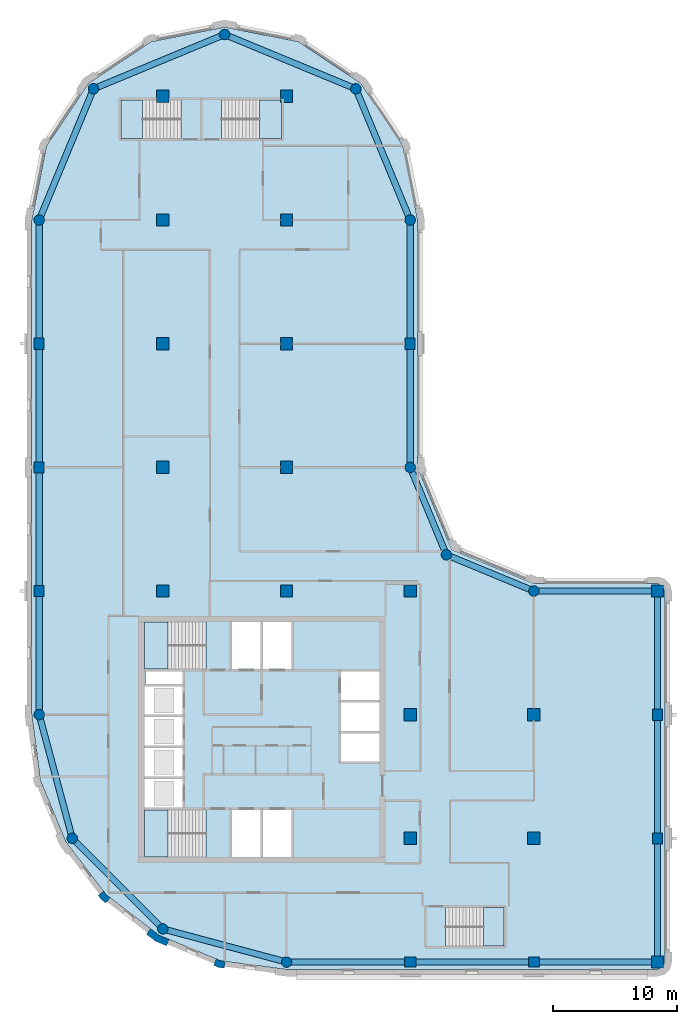
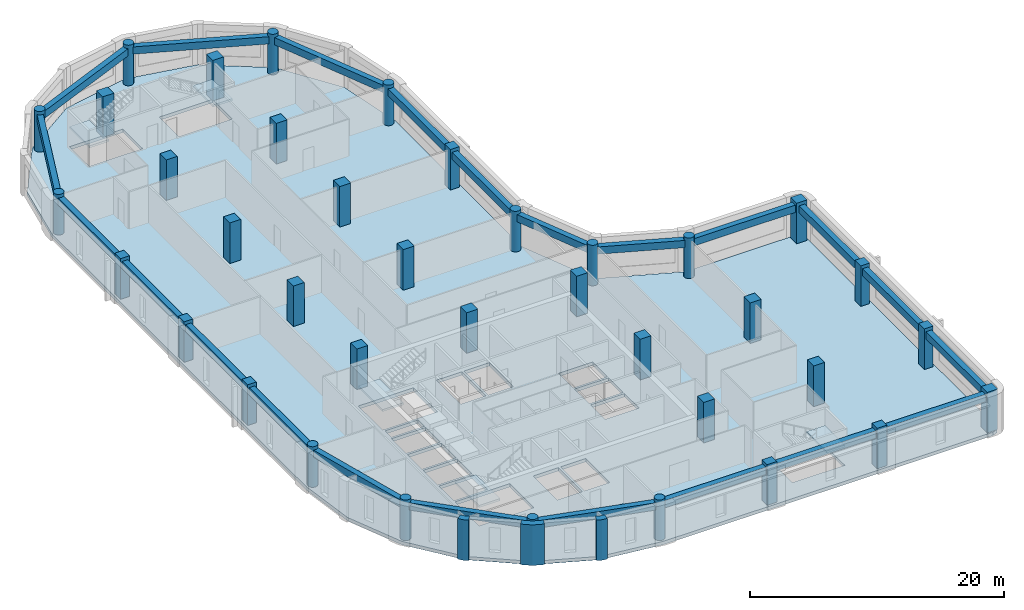
# One storey, part 1 of 9: 37 columns, 22 beams, 6 slabs, 3 walls, 5 elements without a shape of their own.
"""IFC4 building model written with IfcOpenShell, lengths in metres."""

import ifcopenshell
import ifcopenshell.guid

model = None  # the IFC model being written
_history = None  # IfcOwnerHistory: only IFC2X3 demands one
_inside = {}  # id of a spatial element -> (the spatial element, [elements in it])
_under = {}  # id of a project, library or spatial element -> (it, [spatial elements below it])
_declared = {}  # id of a project -> (the project, [libraries it declares])
_typed = {}  # id of a type object -> (the type object, [elements of that type])
_made_of = {}  # id of a material, layer set ... -> (it, [elements and type objects made of it])


def new_model(schema):
    """Start an empty IFC model of exactly this schema.

    Asked for "IFC4X3", IfcOpenShell would pick the latest addendum, in which some entities
    have other attributes; the version numbers below select the first issue.
    IFC2X3 requires an IfcOwnerHistory on every rooted entity: one is made here for all.
    """
    global model, _history
    if schema == "IFC4X3":
        model = ifcopenshell.file(schema_version=(4, 3, 0, 0))
    else:
        model = ifcopenshell.file(schema=schema)
    _inside.clear()
    _under.clear()
    _declared.clear()
    _typed.clear()
    _made_of.clear()
    _history = None
    if model.schema == "IFC2X3":
        org = make("IfcOrganization", Name="unknown")
        user = make(
            "IfcPersonAndOrganization",
            ThePerson=make("IfcPerson", FamilyName="unknown"),
            TheOrganization=org,
        )
        app = make(
            "IfcApplication",
            ApplicationDeveloper=org,
            Version="unknown",
            ApplicationFullName="unknown",
            ApplicationIdentifier="unknown",
        )
        _history = make(
            "IfcOwnerHistory",
            OwningUser=user,
            OwningApplication=app,
            ChangeAction="ADDED",
            CreationDate=0,
        )
    return model


def make(cls, **values):
    """One entity of the class cls with the attributes given. An attribute that is None is left unset."""
    return model.create_entity(
        cls, **{name: value for name, value in values.items() if value is not None}
    )


def rooted(cls, **values):
    """An entity with a GlobalId (a new one), such as an element, a storey or a relation."""
    return make(cls, GlobalId=ifcopenshell.guid.new(), OwnerHistory=_history, **values)


def si_unit(unit_type, name, prefix=None):
    """IfcSIUnit, for example si_unit("LENGTHUNIT", "METRE", prefix="MILLI")."""
    return make("IfcSIUnit", UnitType=unit_type, Prefix=prefix, Name=name)


def assignment(units):
    """IfcUnitAssignment: the units of a project."""
    return None if units is None else make("IfcUnitAssignment", Units=units)


def point(xyz):
    """IfcCartesianPoint."""
    return None if xyz is None else make("IfcCartesianPoint", Coordinates=xyz)


def direction(xyz):
    """IfcDirection."""
    return None if xyz is None else make("IfcDirection", DirectionRatios=xyz)


def frame(location, z_axis=None, x_axis=None):
    """IfcAxis2Placement3D, a coordinate frame: its origin and axes. An axis left out is left unset."""
    return make(
        "IfcAxis2Placement3D",
        Location=point(location),
        Axis=direction(z_axis),
        RefDirection=direction(x_axis),
    )


def frame_2d(location, x_axis=None):
    """IfcAxis2Placement2D, a coordinate frame in the plane: its origin and x axis."""
    return make(
        "IfcAxis2Placement2D", Location=point(location), RefDirection=direction(x_axis)
    )


def origin():
    """The frame at (0, 0, 0) with its axes left unset."""
    return frame((0.0, 0.0, 0.0))


def origin_2d():
    """The frame at (0, 0) in the plane with its x axis left unset."""
    return frame_2d((0.0, 0.0))


def place(relative_to, where):
    """IfcLocalPlacement: puts the frame where relative to a parent placement (None: the world)."""
    return make(
        "IfcLocalPlacement", PlacementRelTo=relative_to, RelativePlacement=where
    )


def context(
    kind, dimensions, precision=None, world=None, true_north=None, identifier=None
):
    """IfcGeometricRepresentationContext, for example the 3D "Model" context."""
    return make(
        "IfcGeometricRepresentationContext",
        ContextIdentifier=identifier,
        ContextType=kind,
        CoordinateSpaceDimension=dimensions,
        Precision=precision,
        WorldCoordinateSystem=world,
        TrueNorth=true_north,
    )


def subcontext(parent, identifier, kind, view, scale=None):
    """IfcGeometricRepresentationSubContext, for example "Body" below "Model"."""
    return make(
        "IfcGeometricRepresentationSubContext",
        ContextIdentifier=identifier,
        ContextType=kind,
        ParentContext=parent,
        TargetScale=scale,
        TargetView=view,
    )


def project(units=None, contexts=None):
    """IfcProject with its units and contexts."""
    return rooted(
        "IfcProject",
        Name="project",
        RepresentationContexts=contexts,
        UnitsInContext=assignment(units),
    )


def spatial(cls, under=None, at=None, **own):
    """A site, building, storey or space (cls), placed at a placement, below another one or the project."""
    s = rooted(cls, ObjectPlacement=at, **own)
    if under is not None:
        _under.setdefault(under.id(), (under, []))[1].append(s)
    return s


def polyline(points):
    """IfcPolyline through the points."""
    return make("IfcPolyline", Points=[point(p) for p in points])


def profile(cls, at=None, kind="AREA", **sizes):
    """A parametric profile (cls). Its sizes go by their IFC names, for example OverallWidth=200.0."""
    return make(cls, ProfileType=kind, Position=at, **sizes)


def rectangle(**sizes):
    """IfcRectangleProfileDef."""
    return profile("IfcRectangleProfileDef", **sizes)


def circle(**sizes):
    """IfcCircleProfileDef."""
    return profile("IfcCircleProfileDef", **sizes)


def outline(outer, holes=None, kind="AREA"):
    """IfcArbitraryClosedProfileDef: a profile drawn as a closed curve; with holes, ...WithVoids."""
    if holes is None:
        return make("IfcArbitraryClosedProfileDef", ProfileType=kind, OuterCurve=outer)
    return make(
        "IfcArbitraryProfileDefWithVoids",
        ProfileType=kind,
        OuterCurve=outer,
        InnerCurves=holes,
    )


def extrude(swept, where, along, depth):
    """IfcExtrudedAreaSolid: the profile swept, set in the frame where, extruded along a direction by depth."""
    return make(
        "IfcExtrudedAreaSolid",
        SweptArea=swept,
        Position=where,
        ExtrudedDirection=direction(along),
        Depth=depth,
    )


def shape(context_of_items, identifier, shape_type, items):
    """IfcShapeRepresentation: the items that make up one representation, for example the "Body"."""
    return make(
        "IfcShapeRepresentation",
        ContextOfItems=context_of_items,
        RepresentationIdentifier=identifier,
        RepresentationType=shape_type,
        Items=items,
    )


def material(Name=None, Category=None):
    """IfcMaterial."""
    return make("IfcMaterial", Name=Name, Category=Category)


def layer(
    of_material, thickness, ventilated=None, Name=None, Category=None, Priority=None
):
    """IfcMaterialLayer: one layer of a wall or slab, of a material (None: an air gap)."""
    return make(
        "IfcMaterialLayer",
        Material=of_material,
        LayerThickness=thickness,
        IsVentilated=ventilated,
        Name=Name,
        Category=Category,
        Priority=Priority,
    )


def layer_set(layers, Name=None):
    """IfcMaterialLayerSet."""
    return make("IfcMaterialLayerSet", MaterialLayers=layers, LayerSetName=Name)


def material_profile(
    of_material, cross_section, Name=None, Category=None, Priority=None
):
    """IfcMaterialProfile: a cross section and its material."""
    return make(
        "IfcMaterialProfile",
        Name=Name,
        Material=of_material,
        Profile=cross_section,
        Priority=Priority,
        Category=Category,
    )


def profile_set(profiles, Name=None, composite=None):
    """IfcMaterialProfileSet."""
    return make(
        "IfcMaterialProfileSet",
        Name=Name,
        MaterialProfiles=profiles,
        CompositeProfile=composite,
    )


def made_of(thing, what):
    """Note that an element or type object is made of a material, layer set ...; save() writes the relation."""
    if what is not None:
        _made_of.setdefault(what.id(), (what, []))[1].append(thing)
    return thing


def type_object(cls, material=None, **own):
    """A type object (cls), such as IfcWallType, which elements share."""
    return made_of(rooted(cls, **own), material)


def element(
    cls,
    number,
    at=None,
    inside=None,
    cuts=None,
    type_object=None,
    material=None,
    context=None,
    identifier="Body",
    shape_type=None,
    held_by="IfcProductDefinitionShape",
    body=None,
    shapes=None,
    **own,
):
    """One element of the class cls, such as IfcWall. Its Tag is "e" and its number.

    at: its placement. inside: the storey or other place that contains it. cuts: it is an
    opening in that element (IfcRelVoidsElement). A single representation is given by context,
    identifier, shape_type and body (its items); several are given by shapes. held_by: the class
    of the entity that holds the representations. save() writes the other relations.
    """
    e = rooted(cls, Tag="e%d" % number, ObjectPlacement=at, **own)
    if body is not None:
        shapes = [shape(context, identifier, shape_type, body)]
    if shapes is not None:
        e.Representation = make(held_by, Representations=shapes)
    if inside is not None:
        _inside.setdefault(inside.id(), (inside, []))[1].append(e)
    if cuts is not None:
        rooted(
            "IfcRelVoidsElement", RelatingBuildingElement=cuts, RelatedOpeningElement=e
        )
    if type_object is not None:
        _typed.setdefault(type_object.id(), (type_object, []))[1].append(e)
    return made_of(e, material)


def aggregate(whole, parts):
    """IfcRelAggregates: a whole, such as a stair, and the parts it consists of."""
    return rooted("IfcRelAggregates", RelatingObject=whole, RelatedObjects=parts)


def save(model, path):
    """Write the relations noted so far, then the file.

    IfcRelAggregates (storeys below a building ...), IfcRelContainedInSpatialStructure (elements
    in a storey), IfcRelDefinesByType, IfcRelAssociatesMaterial and IfcRelDeclares: one each for
    every whole, place, type object, material and project.
    """
    for whole, parts in _under.values():
        aggregate(whole, parts)
    for where, things in _inside.values():
        rooted(
            "IfcRelContainedInSpatialStructure",
            RelatedElements=things,
            RelatingStructure=where,
        )
    for kind, things in _typed.values():
        rooted("IfcRelDefinesByType", RelatedObjects=things, RelatingType=kind)
    for what, things in _made_of.values():
        rooted("IfcRelAssociatesMaterial", RelatedObjects=things, RelatingMaterial=what)
    for by, libraries in _declared.values():
        rooted("IfcRelDeclares", RelatingContext=by, RelatedDefinitions=libraries)
    model.write(path)


model = new_model("IFC4")

# Units and contexts
model_context = context("Model", 3, precision=1e-05, world=origin(), true_north=direction((0.0, 1.0)))
body_context = subcontext(model_context, "Body", "Model", "MODEL_VIEW")
ifc_project = project(units=[si_unit("LENGTHUNIT", "METRE"), si_unit("AREAUNIT", "SQUARE_METRE"), si_unit("VOLUMEUNIT", "CUBIC_METRE"), si_unit("PLANEANGLEUNIT", "RADIAN"), si_unit("MASSUNIT", "GRAM", prefix="KILO")], contexts=[model_context])

# Site, building, storey
site_placement = place(None, origin())
site = spatial("IfcSite", under=ifc_project, at=site_placement, CompositionType="ELEMENT")
building_placement = place(site_placement, origin())
building = spatial("IfcBuilding", under=site, at=building_placement, Name="Qaws Garden Tower", CompositionType="ELEMENT")
storey_placement = place(building_placement, frame((0.0, 0.0, 270.89990234375)))
storey = spatial("IfcBuildingStorey", under=building, at=storey_placement, Name="L65", CompositionType="ELEMENT", Elevation=270.89990234375)

# Columns
ifc_material_1 = material(Name="Concrete C60", Category="concrete")
ifc_material_profile_1 = material_profile(ifc_material_1, rectangle(XDim=1.0, YDim=1.0, at=origin_2d()), Name="RC 1000x1000")
ifc_profile_set_1 = profile_set([ifc_material_profile_1], Name="Concrete C60")
column_type_1 = type_object("IfcColumnType", Name="Column RC 1000x1000 C60", PredefinedType="COLUMN", material=ifc_profile_set_1)
for number, where, z_axis, x_axis, name in (
    (1, (10.0, 30.0, 0.0), (0.0, 0.0, 1.0), (1.0, 0.0, 0.0), "Column L65-023"),
    (2, (10.0, 40.0, 0.0), (0.0, 0.0, 1.0), (1.0, 0.0, 0.0), "Column L65-024"),
    (3, (10.0, 50.0, 0.0), (0.0, 0.0, 1.0), (1.0, 0.0, 0.0), "Column L65-025"),
    (4, (10.0, 60.0, 0.0), (0.0, 0.0, 1.0), (1.0, 0.0, 0.0), "Column L65-026"),
    (5, (10.0, 70.0, 0.0), (0.0, 0.0, 1.0), (1.0, 0.0, 0.0), "Column L65-027"),
    (6, (20.0, 30.0, 0.0), (0.0, 0.0, 1.0), (1.0, 0.0, 0.0), "Column L65-028"),
    (7, (20.0, 40.0, 0.0), (0.0, 0.0, 1.0), (1.0, 0.0, 0.0), "Column L65-029"),
    (8, (20.0, 50.0, 0.0), (0.0, 0.0, 1.0), (1.0, 0.0, 0.0), "Column L65-030"),
    (9, (20.0, 60.0, 0.0), (0.0, 0.0, 1.0), (1.0, 0.0, 0.0), "Column L65-031"),
    (10, (20.0, 70.0, 0.0), (0.0, 0.0, 1.0), (1.0, 0.0, 0.0), "Column L65-032"),
    (11, (30.0, 10.0, 0.0), (0.0, 0.0, 1.0), (1.0, 0.0, 0.0), "Column L65-033"),
    (12, (30.0, 20.0, 0.0), (0.0, 0.0, 1.0), (1.0, 0.0, 0.0), "Column L65-034"),
    (13, (30.0, 30.0, 0.0), (0.0, 0.0, 1.0), (1.0, 0.0, 0.0), "Column L65-035"),
    (14, (40.0, 10.0, 0.0), (0.0, 0.0, 1.0), (1.0, 0.0, 0.0), "Column L65-036"),
    (15, (40.0, 20.0, 0.0), (0.0, 0.0, 1.0), (1.0, 0.0, 0.0), "Column L65-037"),
):
    element("IfcColumn", number, at=place(storey_placement, frame(where, z_axis=z_axis, x_axis=x_axis)), inside=storey, type_object=column_type_1, Name=name, PredefinedType="COLUMN", context=body_context, shape_type="SweptSolid", body=[
        extrude(rectangle(XDim=1.0, YDim=1.0, at=origin_2d()), origin(), (0.0, 0.0, 1.0), 3.900146484375),
    ])
ifc_material_2 = material(Name="Concrete C60", Category="concrete")
ifc_material_profile_2 = material_profile(ifc_material_2, rectangle(XDim=0.89990234375, YDim=0.800048828125, at=origin_2d()), Name="RC 900x800")
ifc_profile_set_2 = profile_set([ifc_material_profile_2], Name="Concrete C60")
column_type_2 = type_object("IfcColumnType", Name="Column RC 900x800 C60", PredefinedType="COLUMN", material=ifc_profile_set_2)
for number, where, z_axis, x_axis, name in (
    (16, (30.0, 0.0, 0.0), (0.0, 0.0, 1.0), (1.0, 0.0, 0.0), "Column L65-002"),
    (17, (40.0, 0.0, 0.0), (0.0, 0.0, 1.0), (1.0, 0.0, 0.0), "Column L65-003"),
    (18, (50.0, 10.0, 0.0), (0.0, 0.0, 1.0), (0.0, 1.0, 0.0), "Column L65-005"),
    (19, (50.0, 20.0, 0.0), (0.0, 0.0, 1.0), (0.0, 1.0, 0.0), "Column L65-006"),
    (20, (30.0, 50.0, 0.0), (0.0, 0.0, 1.0), (0.0, 1.0, 0.0), "Column L65-011"),
    (21, (0.0, 50.0, 0.0), (0.0, 0.0, 1.0), (0.0, 1.0, 0.0), "Column L65-017"),
    (22, (0.0, 40.0, 0.0), (0.0, 0.0, 1.0), (0.0, 1.0, 0.0), "Column L65-018"),
    (23, (0.0, 30.0, 0.0), (0.0, 0.0, 1.0), (0.0, 1.0, 0.0), "Column L65-019"),
):
    element("IfcColumn", number, at=place(storey_placement, frame(where, z_axis=z_axis, x_axis=x_axis)), inside=storey, type_object=column_type_2, Name=name, PredefinedType="COLUMN", context=body_context, shape_type="SweptSolid", body=[
        extrude(rectangle(XDim=0.89990234375, YDim=0.800048828125, at=origin_2d()), origin(), (0.0, 0.0, 1.0), 3.900146484375),
    ])
ifc_material_3 = material(Name="Concrete C60", Category="concrete")
ifc_material_profile_3 = material_profile(ifc_material_3, rectangle(XDim=0.949951171875, YDim=0.949951171875, at=origin_2d()), Name="RC 950x950")
ifc_profile_set_3 = profile_set([ifc_material_profile_3], Name="Concrete C60")
column_type_3 = type_object("IfcColumnType", Name="Column RC 950x950 C60", PredefinedType="COLUMN", material=ifc_profile_set_3)
for number, where, z_axis, x_axis, name in (
    (24, (50.0, 0.0, 0.0), (0.0, 0.0, 1.0), (1.0, 0.0, 0.0), "Column L65-004"),
    (25, (50.0, 30.0, 0.0), (0.0, 0.0, 1.0), (1.0, 0.0, 0.0), "Column L65-007"),
):
    element("IfcColumn", number, at=place(storey_placement, frame(where, z_axis=z_axis, x_axis=x_axis)), inside=storey, type_object=column_type_3, Name=name, PredefinedType="COLUMN", context=body_context, shape_type="SweptSolid", body=[
        extrude(rectangle(XDim=0.949951171875, YDim=0.949951171875, at=origin_2d()), origin(), (0.0, 0.0, 1.0), 3.900146484375),
    ])
ifc_material_4 = material(Name="Concrete C60", Category="concrete")
ifc_material_profile_4 = material_profile(ifc_material_4, circle(Radius=0.425048828125, at=origin_2d()), Name="RC D850")
ifc_profile_set_4 = profile_set([ifc_material_profile_4], Name="Concrete C60")
column_type_4 = type_object("IfcColumnType", Name="Column RC D850 C60", PredefinedType="COLUMN", material=ifc_profile_set_4)
for number, where, z_axis, x_axis, name in (
    (26, (20.0, 0.0, 0.0), (0.0, 0.0, 1.0), (1.0, 0.0, 0.0), "Column L65-001"),
    (27, (40.0, 30.0, 0.0), (0.0, 0.0, 1.0), (1.0, 0.0, 0.0), "Column L65-008"),
    (28, (32.928955078125, 32.928955078125, 0.0), (0.0, 0.0, 1.0), (1.0, 0.0, 0.0), "Column L65-009"),
    (29, (30.0, 40.0, 0.0), (0.0, 0.0, 1.0), (1.0, 0.0, 0.0), "Column L65-010"),
    (30, (30.0, 60.0, 0.0), (0.0, 0.0, 1.0), (1.0, 0.0, 0.0), "Column L65-012"),
    (31, (25.606689453125, 70.606689453125, 0.0), (0.0, 0.0, 1.0), (1.0, 0.0, 0.0), "Column L65-013"),
    (32, (15.0, 75.0, 0.0), (0.0, 0.0, 1.0), (1.0, 0.0, 0.0), "Column L65-014"),
    (33, (4.393310546875, 70.606689453125, 0.0), (0.0, 0.0, 1.0), (1.0, 0.0, 0.0), "Column L65-015"),
    (34, (0.0, 60.0, 0.0), (0.0, 0.0, 1.0), (1.0, 0.0, 0.0), "Column L65-016"),
    (35, (0.0, 20.0, 0.0), (0.0, 0.0, 1.0), (1.0, 0.0, 0.0), "Column L65-020"),
    (36, (2.679443359375, 10.0, 0.0), (0.0, 0.0, 1.0), (1.0, 0.0, 0.0), "Column L65-021"),
    (37, (10.0, 2.679443359375, 0.0), (0.0, 0.0, 1.0), (1.0, 0.0, 0.0), "Column L65-022"),
):
    element("IfcColumn", number, at=place(storey_placement, frame(where, z_axis=z_axis, x_axis=x_axis)), inside=storey, type_object=column_type_4, Name=name, PredefinedType="COLUMN", context=body_context, shape_type="SweptSolid", body=[
        extrude(circle(Radius=0.425048828125, at=origin_2d()), origin(), (0.0, 0.0, 1.0), 3.900146484375),
    ])

# Beams
ifc_material_5 = material(Name="Concrete C45", Category="concrete")
ifc_material_profile_5 = material_profile(ifc_material_5, rectangle(XDim=0.5, YDim=0.699951171875, at=origin_2d()), Name="RC 500x700")
ifc_profile_set_5 = profile_set([ifc_material_profile_5], Name="Concrete C45")
beam_type = type_object("IfcBeamType", Name="Spandrel beam RC 500x700 C45", PredefinedType="SPANDREL", material=ifc_profile_set_5)
for number, where, z_axis, x_axis, name in (
    (38, (20.0, 0.0, 3.22998046875), (1.0, 0.0, 0.0), (0.0, 1.0, 0.0), "Spandrel beam L65-001"),
    (39, (30.0, 0.0, 3.22998046875), (1.0, 0.0, 0.0), (0.0, 1.0, 0.0), "Spandrel beam L65-002"),
    (40, (40.0, 0.0, 3.22998046875), (1.0, 0.0, 0.0), (0.0, 1.0, 0.0), "Spandrel beam L65-003"),
    (41, (50.0, 0.0, 3.22998046875), (0.0, 1.0, 0.0), (-1.0, 0.0, 0.0), "Spandrel beam L65-004"),
    (42, (50.0, 10.0, 3.22998046875), (0.0, 1.0, 0.0), (-1.0, 0.0, 0.0), "Spandrel beam L65-005"),
    (43, (50.0, 20.0, 3.22998046875), (0.0, 1.0, 0.0), (-1.0, 0.0, 0.0), "Spandrel beam L65-006"),
    (44, (50.0, 30.0, 3.22998046875), (-1.0, 0.0, 0.0), (0.0, -1.0, 0.0), "Spandrel beam L65-007"),
):
    element("IfcBeam", number, at=place(storey_placement, frame(where, z_axis=z_axis, x_axis=x_axis)), inside=storey, type_object=beam_type, Name=name, PredefinedType="SPANDREL", context=body_context, shape_type="SweptSolid", body=[
        extrude(rectangle(XDim=0.5, YDim=0.699951171875, at=origin_2d()), origin(), (0.0, 0.0, 1.0), 10.0),
    ])
for number, where, z_axis, x_axis, name in (
    (45, (40.0, 30.0, 3.22998046875), (-0.923878037141, 0.382687042488, 0.0), (-0.382687042488, -0.923878037141, 0.0), "Spandrel beam L65-008"),
    (46, (32.928955078125, 32.928955078125, 3.22998046875), (-0.382687042488, 0.923878037141, 0.0), (-0.923878037141, -0.382687042488, 0.0), "Spandrel beam L65-009"),
):
    element("IfcBeam", number, at=place(storey_placement, frame(where, z_axis=z_axis, x_axis=x_axis)), inside=storey, type_object=beam_type, Name=name, PredefinedType="SPANDREL", context=body_context, shape_type="SweptSolid", body=[
        extrude(rectangle(XDim=0.5, YDim=0.699951171875, at=origin_2d()), origin(), (0.0, 0.0, 1.0), 7.653564453125),
    ])
for number, where, z_axis, x_axis, name in (
    (47, (30.0, 40.0, 3.22998046875), (0.0, 1.0, 0.0), (-1.0, 0.0, 0.0), "Spandrel beam L65-010"),
    (48, (30.0, 50.0, 3.22998046875), (0.0, 1.0, 0.0), (-1.0, 0.0, 0.0), "Spandrel beam L65-011"),
):
    element("IfcBeam", number, at=place(storey_placement, frame(where, z_axis=z_axis, x_axis=x_axis)), inside=storey, type_object=beam_type, Name=name, PredefinedType="SPANDREL", context=body_context, shape_type="SweptSolid", body=[
        extrude(rectangle(XDim=0.5, YDim=0.699951171875, at=origin_2d()), origin(), (0.0, 0.0, 1.0), 10.0),
    ])
for number, where, z_axis, x_axis, name in (
    (49, (30.0, 60.0, 3.22998046875), (-0.382674207535, 0.923883353507, 0.0), (-0.923883353507, -0.382674207535, 0.0), "Spandrel beam L65-012"),
    (50, (25.606689453125, 70.606689453125, 3.22998046875), (-0.923883353507, 0.382674207535, 0.0), (-0.382674207535, -0.923883353507, 0.0), "Spandrel beam L65-013"),
    (51, (15.0, 75.0, 3.22998046875), (-0.923883353507, -0.382674207535, 0.0), (0.382674207535, -0.923883353507, 0.0), "Spandrel beam L65-014"),
    (52, (4.393310546875, 70.606689453125, 3.22998046875), (-0.382674207535, -0.923883353507, 0.0), (0.923883353507, -0.382674207535, 0.0), "Spandrel beam L65-015"),
):
    element("IfcBeam", number, at=place(storey_placement, frame(where, z_axis=z_axis, x_axis=x_axis)), inside=storey, type_object=beam_type, Name=name, PredefinedType="SPANDREL", context=body_context, shape_type="SweptSolid", body=[
        extrude(rectangle(XDim=0.5, YDim=0.699951171875, at=origin_2d()), origin(), (0.0, 0.0, 1.0), 11.48046875),
    ])
for number, where, z_axis, x_axis, name in (
    (53, (0.0, 60.0, 3.22998046875), (0.0, -1.0, 0.0), (1.0, 0.0, 0.0), "Spandrel beam L65-016"),
    (54, (0.0, 50.0, 3.22998046875), (0.0, -1.0, 0.0), (1.0, 0.0, 0.0), "Spandrel beam L65-017"),
    (55, (0.0, 40.0, 3.22998046875), (0.0, -1.0, 0.0), (1.0, 0.0, 0.0), "Spandrel beam L65-018"),
    (56, (0.0, 30.0, 3.22998046875), (0.0, -1.0, 0.0), (1.0, 0.0, 0.0), "Spandrel beam L65-019"),
):
    element("IfcBeam", number, at=place(storey_placement, frame(where, z_axis=z_axis, x_axis=x_axis)), inside=storey, type_object=beam_type, Name=name, PredefinedType="SPANDREL", context=body_context, shape_type="SweptSolid", body=[
        extrude(rectangle(XDim=0.5, YDim=0.699951171875, at=origin_2d()), origin(), (0.0, 0.0, 1.0), 10.0),
    ])
for number, where, z_axis, x_axis, name in (
    (57, (0.0, 20.0, 3.22998046875), (0.25881466832, -0.965926999034, 0.0), (0.965926999034, 0.25881466832, 0.0), "Spandrel beam L65-020"),
    (58, (2.679443359375, 10.0, 3.22998046875), (0.707106781187, -0.707106781187, 0.0), (0.707106781187, 0.707106781187, 0.0), "Spandrel beam L65-021"),
    (59, (10.0, 2.679443359375, 3.22998046875), (0.965926999034, -0.25881466832, 0.0), (0.25881466832, 0.965926999034, 0.0), "Spandrel beam L65-022"),
):
    element("IfcBeam", number, at=place(storey_placement, frame(where, z_axis=z_axis, x_axis=x_axis)), inside=storey, type_object=beam_type, Name=name, PredefinedType="SPANDREL", context=body_context, shape_type="SweptSolid", body=[
        extrude(rectangle(XDim=0.5, YDim=0.699951171875, at=origin_2d()), origin(), (0.0, 0.0, 1.0), 10.352783203125),
    ])

# Slab
ifc_material_6 = material(Name="Concrete C40", Category="concrete")
ifc_layer_1 = layer(ifc_material_6, 0.320068359375)
ifc_layer_set_1 = layer_set([ifc_layer_1], Name="Concrete C40")
slab_type_1 = type_object("IfcSlabType", Name="Floor slab 320 C40", PredefinedType="FLOOR", material=ifc_layer_set_1)
slab_1_placement = place(storey_placement, frame((0.0, 0.0, -0.31982421875)))
element("IfcSlab", 60, at=slab_1_placement, inside=storey, type_object=slab_type_1, Name="Floor slab L65", PredefinedType="FLOOR", context=body_context, shape_type="SweptSolid", body=[
    extrude(outline(polyline([(0.101806640625, 14.668212890625), (-0.60009765625, 20.0), (-0.60009765625, 30.60009765625), (-0.60009765625, 60.0), (-0.60009765625, 60.0), (0.58740234375, 65.969970703125), (3.968994140625, 71.031005859375), (9.030029296875, 74.41259765625), (15.0, 75.60009765625), (20.969970703125, 74.41259765625), (26.031005859375, 71.031005859375), (29.41259765625, 65.969970703125), (30.60009765625, 60.0), (30.60009765625, 40.0), (33.353271484375, 33.353271484375), (40.0, 30.60009765625), (50.0, 30.60009765625), (50.42431640625, 30.42431640625), (50.60009765625, 30.0), (50.60009765625, 0.0), (50.42431640625, -0.42431640625), (50.0, -0.60009765625), (30.60009765625, -0.60009765625), (20.0, -0.60009765625), (14.668212890625, 0.101806640625), (9.699951171875, 2.159912109375), (5.43359375, 5.43359375), (2.159912109375, 9.699951171875), (0.101806640625, 14.668212890625)]), holes=[polyline([(13.49951171875, 12.300048828125), (8.5, 12.300048828125), (8.5, 8.5), (13.49951171875, 8.5), (13.49951171875, 12.300048828125)]), polyline([(17.89990234375, 12.300048828125), (15.60009765625, 12.300048828125), (15.60009765625, 8.5), (17.89990234375, 8.5), (17.89990234375, 12.300048828125)]), polyline([(11.60009765625, 14.800048828125), (8.5, 14.800048828125), (8.5, 12.5), (11.60009765625, 12.5), (11.60009765625, 14.800048828125)]), polyline([(11.60009765625, 17.300048828125), (8.5, 17.300048828125), (8.5, 15.0), (11.60009765625, 15.0), (11.60009765625, 17.300048828125)]), polyline([(11.60009765625, 19.800048828125), (8.5, 19.800048828125), (8.5, 17.5), (11.60009765625, 17.5), (11.60009765625, 19.800048828125)]), polyline([(11.60009765625, 22.300048828125), (8.5, 22.300048828125), (8.5, 20.0), (11.60009765625, 20.0), (11.60009765625, 22.300048828125)]), polyline([(11.60009765625, 23.5), (8.60009765625, 23.5), (8.60009765625, 22.5), (11.60009765625, 22.5), (11.60009765625, 23.5)]), polyline([(13.49951171875, 27.5), (8.5, 27.5), (8.5, 23.699951171875), (13.49951171875, 23.699951171875), (13.49951171875, 27.5)]), polyline([(11.449462890625, 69.699951171875), (6.60009765625, 69.699951171875), (6.60009765625, 66.60009765625), (11.449462890625, 66.60009765625), (11.449462890625, 69.699951171875)]), polyline([(37.60009765625, 4.39990234375), (32.8505859375, 4.39990234375), (32.8505859375, 1.300048828125), (37.60009765625, 1.300048828125), (37.60009765625, 4.39990234375)]), polyline([(20.39990234375, 12.300048828125), (18.10009765625, 12.300048828125), (18.10009765625, 8.5), (20.39990234375, 8.5), (20.39990234375, 12.300048828125)]), polyline([(27.5, 18.5), (24.39990234375, 18.5), (24.39990234375, 16.199951171875), (27.5, 16.199951171875), (27.5, 18.5)]), polyline([(27.5, 21.0), (24.39990234375, 21.0), (24.39990234375, 18.699951171875), (27.5, 18.699951171875), (27.5, 21.0)]), polyline([(27.5, 23.5), (24.39990234375, 23.5), (24.39990234375, 21.199951171875), (27.5, 21.199951171875), (27.5, 23.5)]), polyline([(17.89990234375, 27.5), (15.60009765625, 27.5), (15.60009765625, 23.699951171875), (17.89990234375, 23.699951171875), (17.89990234375, 27.5)]), polyline([(20.39990234375, 23.699951171875), (20.39990234375, 27.5), (18.10009765625, 27.5), (18.10009765625, 23.699951171875), (20.39990234375, 23.699951171875)]), polyline([(19.60009765625, 66.60009765625), (19.60009765625, 69.699951171875), (14.75048828125, 69.699951171875), (14.75048828125, 66.60009765625), (19.60009765625, 66.60009765625)])]), origin(), (0.0, 0.0, 1.0), 0.31982421875),
])

# Stair, slab
ifc_material_7 = material(Name="Concrete C40", Category="concrete")
stair_type_1 = type_object("IfcStairType", Name="Exit stair 1500", PredefinedType="HALF_TURN_STAIR", material=ifc_material_7)
placement_1 = place(storey_placement, origin())
stair_1 = element("IfcStair", 61, at=placement_1, inside=storey, type_object=stair_type_1, Name="Stair 1", PredefinedType="HALF_TURN_STAIR")
ifc_material_8 = material(Name="Concrete C40", Category="concrete")
ifc_layer_2 = layer(ifc_material_8, 0.199951171875)
ifc_layer_set_2 = layer_set([ifc_layer_2], Name="Concrete C40")
slab_type_2 = type_object("IfcSlabType", Name="Stair landing 200", PredefinedType="LANDING", material=ifc_layer_set_2)
placement_2 = place(storey_placement, frame((0.0, 0.0, 1.75)))
slab_2 = element("IfcSlab", 62, at=placement_2, type_object=slab_type_2, Name="ST1 landing 1", PredefinedType="LANDING", context=body_context, shape_type="SweptSolid", body=[
    extrude(outline(polyline([(8.5, 8.5), (10.419921875, 8.5), (10.419921875, 12.300048828125), (8.5, 12.300048828125), (8.5, 8.5)])), origin(), (0.0, 0.0, 1.0), 0.2001953125),
])
aggregate(stair_1, [slab_2])

stair_2 = element("IfcStair", 63, at=placement_1, inside=storey, type_object=stair_type_1, Name="Stair 4", PredefinedType="HALF_TURN_STAIR")
slab_3 = element("IfcSlab", 64, at=placement_2, type_object=slab_type_2, Name="ST4 landing 1", PredefinedType="LANDING", context=body_context, shape_type="SweptSolid", body=[
    extrude(outline(polyline([(8.5, 23.699951171875), (10.419921875, 23.699951171875), (10.419921875, 27.5), (8.5, 27.5), (8.5, 23.699951171875)])), origin(), (0.0, 0.0, 1.0), 0.2001953125),
])
aggregate(stair_2, [slab_3])

ifc_material_9 = material(Name="Concrete C40", Category="concrete")
stair_type_2 = type_object("IfcStairType", Name="Exit stair 1350", PredefinedType="HALF_TURN_STAIR", material=ifc_material_9)
stair_3 = element("IfcStair", 65, at=placement_1, inside=storey, type_object=stair_type_2, Name="Stair 5", PredefinedType="HALF_TURN_STAIR")
slab_4 = element("IfcSlab", 66, at=placement_2, type_object=slab_type_2, Name="ST5 landing 1", PredefinedType="LANDING", context=body_context, shape_type="SweptSolid", body=[
    extrude(outline(polyline([(35.929931640625, 1.300048828125), (37.60009765625, 1.300048828125), (37.60009765625, 4.39990234375), (35.929931640625, 4.39990234375), (35.929931640625, 1.300048828125)])), origin(), (0.0, 0.0, 1.0), 0.2001953125),
])
aggregate(stair_3, [slab_4])

stair_4 = element("IfcStair", 67, at=placement_1, inside=storey, type_object=stair_type_2, Name="Stair 6", PredefinedType="HALF_TURN_STAIR")
slab_5 = element("IfcSlab", 68, at=placement_2, type_object=slab_type_2, Name="ST6 landing 1", PredefinedType="LANDING", context=body_context, shape_type="SweptSolid", body=[
    extrude(outline(polyline([(6.60009765625, 66.60009765625), (8.3701171875, 66.60009765625), (8.3701171875, 69.699951171875), (6.60009765625, 69.699951171875), (6.60009765625, 66.60009765625)])), origin(), (0.0, 0.0, 1.0), 0.2001953125),
])
aggregate(stair_4, [slab_5])

stair_5 = element("IfcStair", 69, at=placement_1, inside=storey, type_object=stair_type_2, Name="Stair 7", PredefinedType="HALF_TURN_STAIR")
slab_6 = element("IfcSlab", 70, at=placement_2, type_object=slab_type_2, Name="ST7 landing 1", PredefinedType="LANDING", context=body_context, shape_type="SweptSolid", body=[
    extrude(outline(polyline([(17.830078125, 66.60009765625), (19.60009765625, 66.60009765625), (19.60009765625, 69.699951171875), (17.830078125, 69.699951171875), (17.830078125, 66.60009765625)])), origin(), (0.0, 0.0, 1.0), 0.2001953125),
])
aggregate(stair_5, [slab_6])

# Walls
ifc_material_10 = material(Name="Clay facing brick masonry", Category="masonry")
ifc_layer_3 = layer(ifc_material_10, 0.550048828125)
ifc_layer_set_3 = layer_set([ifc_layer_3], Name="Clay facing brick masonry")
wall_type_1 = type_object("IfcWallType", Name="Brick kink pier 550 x 600", PredefinedType="SOLIDWALL", material=ifc_layer_set_3)
element("IfcWall", 71, at=placement_1, inside=storey, type_object=wall_type_1, Name="E-L65-pier-26", PredefinedType="SOLIDWALL", context=body_context, shape_type="SweptSolid", body=[
    extrude(outline(polyline([(4.8818359375, 5.487060546875), (4.762939453125, 5.395751953125), (5.03759765625, 5.03759765625), (5.395751953125, 4.762939453125), (5.487060546875, 4.8818359375), (5.730712890625, 5.19921875), (5.429931640625, 5.429931640625), (5.19921875, 5.730712890625), (4.8818359375, 5.487060546875)])), origin(), (0.0, 0.0, 1.0), 3.900146484375),
])
element("IfcWall", 72, at=placement_1, inside=storey, type_object=wall_type_1, Name="E-L65-pier-28", PredefinedType="SOLIDWALL", context=body_context, shape_type="SweptSolid", body=[
    extrude(outline(polyline([(14.163818359375, -0.127685546875), (14.1064453125, -0.26611328125), (14.5234375, -0.43896484375), (14.970947265625, -0.497802734375), (14.990478515625, -0.34912109375), (15.042724609375, 0.04736328125), (14.6669921875, 0.096923828125), (14.31689453125, 0.241943359375), (14.163818359375, -0.127685546875)])), origin(), (0.0, 0.0, 1.0), 3.900146484375),
])
ifc_material_11 = material(Name="Clay facing brick masonry", Category="masonry")
ifc_layer_4 = layer(ifc_material_11, 0.550048828125)
ifc_layer_set_4 = layer_set([ifc_layer_4], Name="Clay facing brick masonry")
wall_type_2 = type_object("IfcWallType", Name="Brick pier 550 x 1600", PredefinedType="SOLIDWALL", material=ifc_layer_set_4)
element("IfcWall", 73, at=placement_1, inside=storey, type_object=wall_type_2, Name="E-L65-pier-27", PredefinedType="SOLIDWALL", context=body_context, shape_type="SweptSolid", body=[
    extrude(outline(polyline([(8.756591796875, 2.373046875), (8.665283203125, 2.254150390625), (9.419921875, 1.675048828125), (10.299072265625, 1.310791015625), (10.3564453125, 1.449462890625), (10.509521484375, 1.819091796875), (9.697509765625, 2.1552734375), (9.0, 2.6904296875), (8.756591796875, 2.373046875)])), origin(), (0.0, 0.0, 1.0), 3.900146484375),
])

save(model, "model.ifc")
